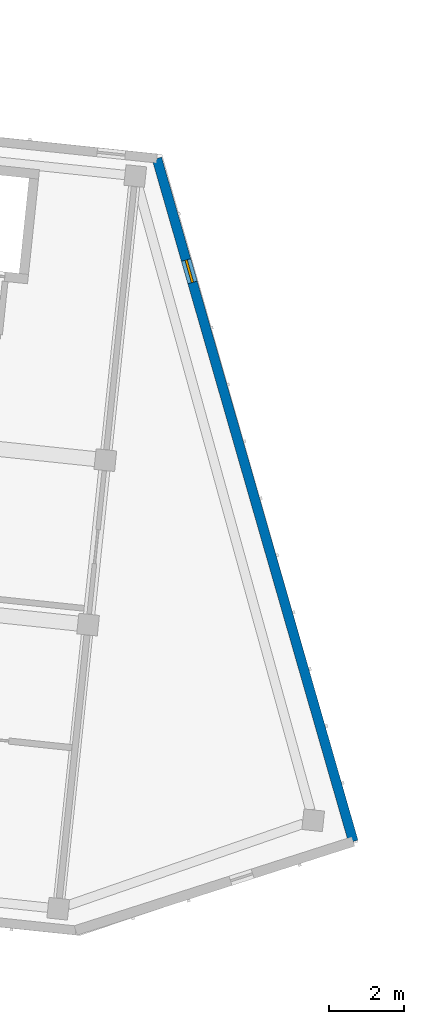
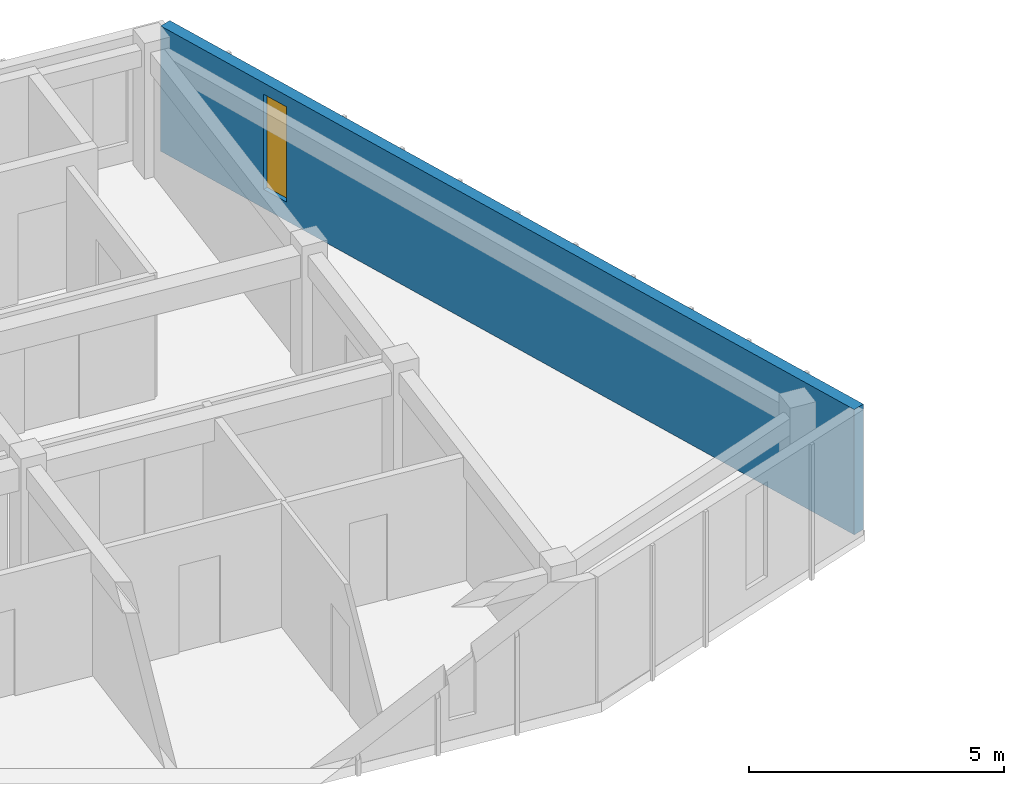
# One storey, part 93 of 127: 1 wall, 1 window, 1 opening.
"""IFC4 building model written with IfcOpenShell, lengths in metres."""

from ifc_helpers import new_model, si_unit, direction, frame, frame_2d, origin, place, context, subcontext, project, spatial, rectangle, extrude, material, layer, layer_set, type_object, element, fill, save


model = new_model("IFC4")

# Units and contexts
model_context = context("Model", 3, precision=1e-05, world=origin(), true_north=direction((0.0, 1.0)))
body_context = subcontext(model_context, "Body", "Model", "MODEL_VIEW")
ifc_project = project(units=[si_unit("LENGTHUNIT", "METRE"), si_unit("AREAUNIT", "SQUARE_METRE"), si_unit("VOLUMEUNIT", "CUBIC_METRE"), si_unit("PLANEANGLEUNIT", "RADIAN"), si_unit("MASSUNIT", "GRAM", prefix="KILO")], contexts=[model_context])

# Site, building, storey
site_placement = place(None, origin())
site = spatial("IfcSite", under=ifc_project, at=site_placement, CompositionType="ELEMENT")
building_placement = place(site_placement, origin())
building = spatial("IfcBuilding", under=site, at=building_placement, Name="Kestramere Prow Commons", CompositionType="ELEMENT")
storey_placement = place(building_placement, frame((0.0, 0.0, 8.39990234375)))
storey = spatial("IfcBuildingStorey", under=building, at=storey_placement, Name="L02", CompositionType="ELEMENT", Elevation=8.39990234375)

# Wall, opening, window
ifc_material_1 = material(Name="Weathered Zinc-Titanium Standing-Seam Cladding")
ifc_layer = layer(ifc_material_1, 0.260009765625)
ifc_layer_set = layer_set([ifc_layer], Name="Weathered Zinc-Titanium Standing-Seam Cladding")
wall_type = type_object("IfcWallType", Name="EW-PROW-260", PredefinedType="SOLIDWALL", material=ifc_layer_set)
wall_placement = place(storey_placement, frame((160.36279296875, 109.742431640625, 0.0), z_axis=(0.0, 0.0, 1.0), x_axis=(0.276322184526, -0.961065060409, 0.0)))
wall = element("IfcWall", 1, at=wall_placement, inside=storey, type_object=wall_type, Name="Block B L02 PRW-N Facet Wall", PredefinedType="SOLIDWALL", context=body_context, shape_type="SweptSolid", body=[
    extrude(rectangle(XDim=18.90673828125, YDim=0.260009765625, at=frame_2d((9.453369140625, 0.0))), origin(), (0.0, 0.0, 1.0), 3.0),
])
opening_placement = place(wall_placement, frame((2.81005859375, 0.0, 0.449951171875)))
opening = element("IfcOpeningElement", 2, at=opening_placement, cuts=wall, Name="Opening WN-03", PredefinedType="OPENING", context=body_context, shape_type="SweptSolid", body=[
    extrude(rectangle(XDim=0.6201171875, YDim=2.280029296875, at=frame_2d((0.31005859375, 1.14013671875))), frame((0.0, 0.14501953125, 0.0), z_axis=(0.0, -1.0, 0.0), x_axis=(1.0, 0.0, 0.0)), (0.0, 0.0, 1.0), 0.2900390625),
])
ifc_material_2 = material(Name="Low-E Laminated Double Glazing", Category="glass")
window_type = type_object("IfcWindowType", Name="WN-NAR-620A", PartitioningType="SINGLE_PANEL", PredefinedType="WINDOW", material=ifc_material_2)
window_placement = place(opening_placement, origin())
window = element("IfcWindow", 3, at=window_placement, inside=storey, type_object=window_type, Name="WN-B-L02-PRW-N-0", OverallHeight=2.280029296875, OverallWidth=0.6201171875, PartitioningType="SINGLE_PANEL", PredefinedType="WINDOW", context=body_context, shape_type="SweptSolid", body=[
    extrude(rectangle(XDim=0.6201171875, YDim=2.280029296875, at=frame_2d((0.31005859375, 1.14013671875))), frame((0.0, 0.030029296875, 0.0), z_axis=(0.0, -1.0, 0.0), x_axis=(1.0, 0.0, 0.0)), (0.0, 0.0, 1.0), 0.06005859375),
])
fill(opening, window)

save(model, "model.ifc")
